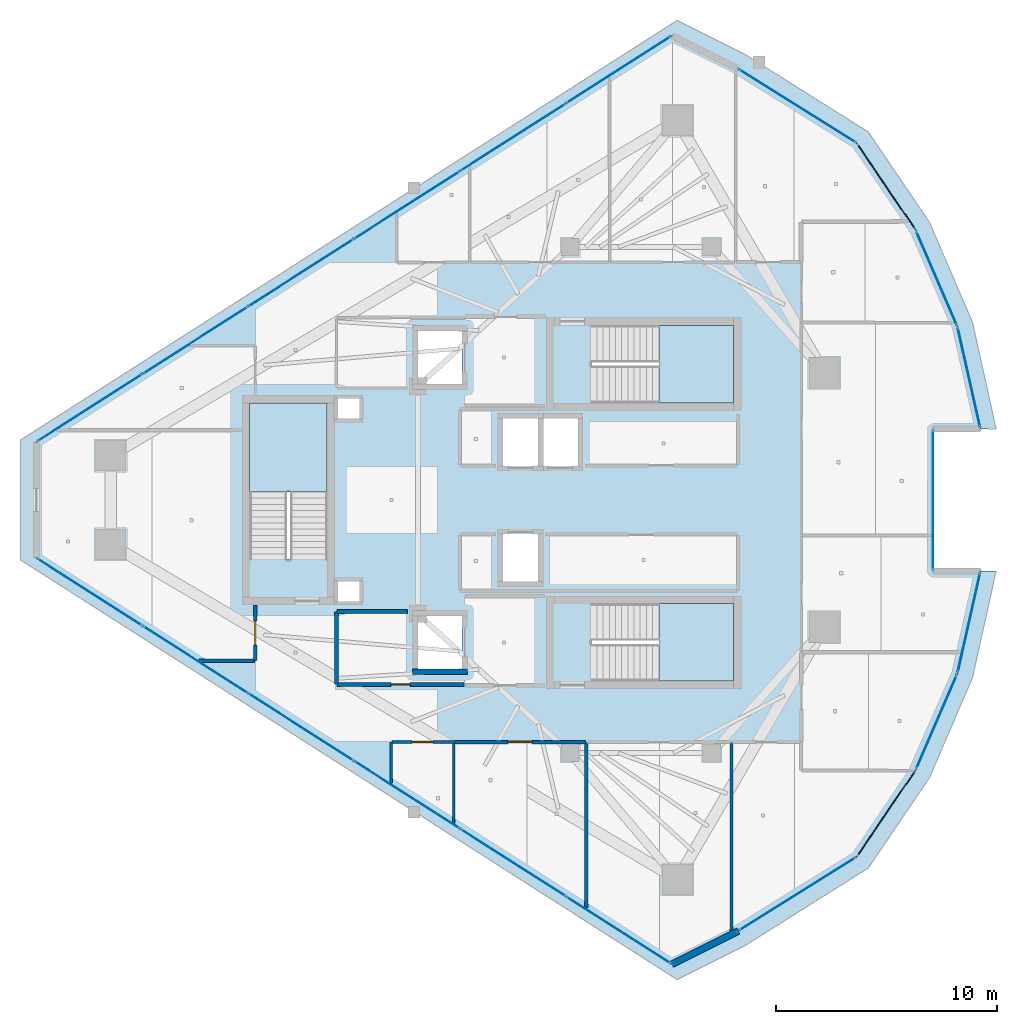
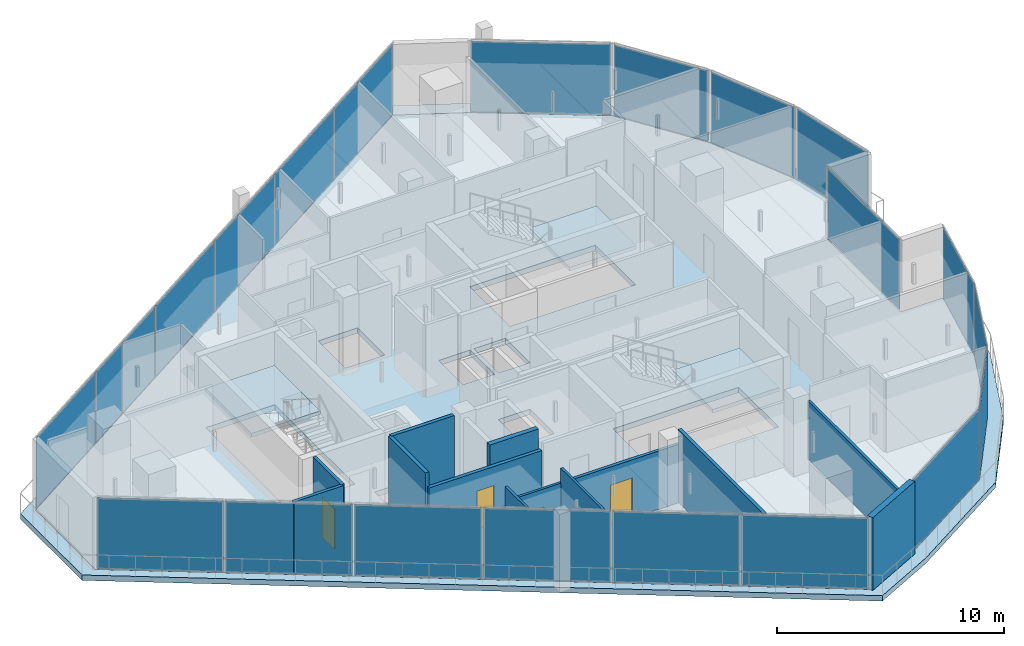
# One storey, part 15 of 24: 21 plates, 13 walls, 5 slabs, 4 doors, 4 openings, 14 elements without a shape of their own.
"""IFC4 building model written with IfcOpenShell, lengths in metres."""

from ifc_helpers import new_model, si_unit, direction, frame, frame_2d, origin, origin_2d, place, context, subcontext, project, spatial, polyline, rectangle, outline, extrude, material, layer, layer_set, type_object, element, fill, aggregate, save


model = new_model("IFC4")

# Units and contexts
model_context = context("Model", 3, precision=1e-05, world=origin(), true_north=direction((0.0, 1.0)))
body_context = subcontext(model_context, "Body", "Model", "MODEL_VIEW")
ifc_project = project(units=[si_unit("LENGTHUNIT", "METRE"), si_unit("AREAUNIT", "SQUARE_METRE"), si_unit("VOLUMEUNIT", "CUBIC_METRE"), si_unit("PLANEANGLEUNIT", "RADIAN"), si_unit("MASSUNIT", "GRAM", prefix="KILO")], contexts=[model_context])

# Site, building, storey
site_placement = place(None, origin())
site = spatial("IfcSite", under=ifc_project, at=site_placement, CompositionType="ELEMENT")
building_placement = place(site_placement, origin())
building = spatial("IfcBuilding", under=site, at=building_placement, Name="Qorvath Tower", CompositionType="ELEMENT")
storey_placement = place(building_placement, frame((0.0, 0.0, 318.60009765625)))
storey = spatial("IfcBuildingStorey", under=building, at=storey_placement, Name="L74", CompositionType="ELEMENT", Elevation=318.60009765625)

# Curtain wall, plates
ifc_material_1 = material(Name="Anodised aluminium and triple low-E glass", Category="aluminium")
ifc_layer_1 = layer(ifc_material_1, 0.179931640625)
ifc_layer_set_1 = layer_set([ifc_layer_1], Name="CW-SYS-4")
curtain_wall_type = type_object("IfcCurtainWallType", Name="CW-SYS-4", PredefinedType="NOTDEFINED", material=ifc_layer_set_1)
curtain_wall_1_placement = place(storey_placement, origin())
curtain_wall_1 = element("IfcCurtainWall", 1, at=curtain_wall_1_placement, inside=storey, type_object=curtain_wall_type, Name="Curtain Wall CW-4 CW-T-L74-2.1", PredefinedType="NOTDEFINED")
ifc_material_2 = material(Name="Acoustic laminated low-E glass", Category="glass")
ifc_layer_2 = layer(ifc_material_2, 0.0380859375)
ifc_layer_set_2 = layer_set([ifc_layer_2], Name="CWP-GLZ-38")
plate_type = type_object("IfcPlateType", Name="CWP-GLZ-38", PredefinedType="CURTAIN_PANEL", material=ifc_layer_set_2)
plate_1_placement = place(storey_placement, frame((-45.356201171875, -4.170166015625, 0.06494140625), z_axis=(0.0, 0.0, 1.0), x_axis=(0.842605247493, -0.538531704636, 0.0)))
plate_1 = element("IfcPlate", 2, at=plate_1_placement, type_object=plate_type, Name="CW-4 panel 1.1", PredefinedType="CURTAIN_PANEL", context=body_context, shape_type="SweptSolid", body=[
    extrude(rectangle(XDim=5.57958984375, YDim=0.0380859375, at=origin_2d()), origin(), (0.0, 0.0, 1.0), 3.77978515625),
])
plate_2_placement = place(storey_placement, frame((-40.575927734375, -7.225341796875, 0.06494140625), z_axis=(0.0, 0.0, 1.0), x_axis=(0.842605247493, -0.538531704636, 0.0)))
plate_2 = element("IfcPlate", 3, at=plate_2_placement, type_object=plate_type, Name="CW-4 panel 2.1", PredefinedType="CURTAIN_PANEL", context=body_context, shape_type="SweptSolid", body=[
    extrude(rectangle(XDim=5.616943359375, YDim=0.0380859375, at=origin_2d()), origin(), (0.0, 0.0, 1.0), 3.77978515625),
])
plate_3_placement = place(storey_placement, frame((-35.77978515625, -10.290771484375, 0.06494140625), z_axis=(0.0, 0.0, 1.0), x_axis=(0.842605247493, -0.538531704636, 0.0)))
plate_3 = element("IfcPlate", 4, at=plate_3_placement, type_object=plate_type, Name="CW-4 panel 3.1", PredefinedType="CURTAIN_PANEL", context=body_context, shape_type="SweptSolid", body=[
    extrude(rectangle(XDim=5.616943359375, YDim=0.0380859375, at=origin_2d()), origin(), (0.0, 0.0, 1.0), 3.77978515625),
])
plate_4_placement = place(storey_placement, frame((-30.983642578125, -13.35595703125, 0.06494140625), z_axis=(0.0, 0.0, 1.0), x_axis=(0.842605247493, -0.538531704636, 0.0)))
plate_4 = element("IfcPlate", 5, at=plate_4_placement, type_object=plate_type, Name="CW-4 panel 4.1", PredefinedType="CURTAIN_PANEL", context=body_context, shape_type="SweptSolid", body=[
    extrude(rectangle(XDim=5.616943359375, YDim=0.0380859375, at=origin_2d()), origin(), (0.0, 0.0, 1.0), 3.77978515625),
])
plate_5_placement = place(storey_placement, frame((-26.1875, -16.42138671875, 0.06494140625), z_axis=(0.0, 0.0, 1.0), x_axis=(0.842605247493, -0.538531704636, 0.0)))
plate_5 = element("IfcPlate", 6, at=plate_5_placement, type_object=plate_type, Name="CW-4 panel 5.1", PredefinedType="CURTAIN_PANEL", context=body_context, shape_type="SweptSolid", body=[
    extrude(rectangle(XDim=5.616943359375, YDim=0.0380859375, at=origin_2d()), origin(), (0.0, 0.0, 1.0), 3.77978515625),
])
plate_6_placement = place(storey_placement, frame((-21.4072265625, -19.4765625, 0.06494140625), z_axis=(0.0, 0.0, 1.0), x_axis=(0.842605247493, -0.538531704636, 0.0)))
plate_6 = element("IfcPlate", 7, at=plate_6_placement, type_object=plate_type, Name="CW-4 panel 6.1", PredefinedType="CURTAIN_PANEL", context=body_context, shape_type="SweptSolid", body=[
    extrude(rectangle(XDim=5.57958984375, YDim=0.0380859375, at=origin_2d()), origin(), (0.0, 0.0, 1.0), 3.77978515625),
])
aggregate(curtain_wall_1, [plate_1, plate_2, plate_3, plate_4, plate_5, plate_6])

# Curtain wall, plate
curtain_wall_2_placement = place(storey_placement, origin())
curtain_wall_2 = element("IfcCurtainWall", 8, at=curtain_wall_2_placement, inside=storey, type_object=curtain_wall_type, Name="Curtain Wall CW-4 CW-T-L74-4.1", PredefinedType="NOTDEFINED")
plate_7_placement = place(storey_placement, frame((-13.308837890625, -17.836181640625, 0.06494140625), z_axis=(0.0, 0.0, 1.0), x_axis=(0.847172913336, 0.531317282713, 0.0)))
plate_7 = element("IfcPlate", 9, at=plate_7_placement, type_object=plate_type, Name="CW-4 panel 1.1", PredefinedType="CURTAIN_PANEL", context=body_context, shape_type="SweptSolid", body=[
    extrude(rectangle(XDim=6.18115234375, YDim=0.0380859375, at=origin_2d()), origin(), (0.0, 0.0, 1.0), 3.77978515625),
])
aggregate(curtain_wall_2, [plate_7])

curtain_wall_3_placement = place(storey_placement, origin())
curtain_wall_3 = element("IfcCurtainWall", 10, at=curtain_wall_3_placement, inside=storey, type_object=curtain_wall_type, Name="Curtain Wall CW-4 CW-T-L74-5.1", PredefinedType="NOTDEFINED")
plate_8_placement = place(storey_placement, frame((-9.291259765625, -14.1884765625, 0.06494140625), z_axis=(0.0, 0.0, 1.0), x_axis=(0.56208156452, 0.827081806611, 0.0)))
plate_8 = element("IfcPlate", 11, at=plate_8_placement, type_object=plate_type, Name="CW-4 panel 1.1", PredefinedType="CURTAIN_PANEL", context=body_context, shape_type="SweptSolid", body=[
    extrude(rectangle(XDim=4.603515625, YDim=0.0380859375, at=origin_2d()), origin(), (0.0, 0.0, 1.0), 3.77978515625),
])
aggregate(curtain_wall_3, [plate_8])

curtain_wall_4_placement = place(storey_placement, origin())
curtain_wall_4 = element("IfcCurtainWall", 12, at=curtain_wall_4_placement, inside=storey, type_object=curtain_wall_type, Name="Curtain Wall CW-4 CW-T-L74-6.1", PredefinedType="NOTDEFINED")
plate_9_placement = place(storey_placement, frame((-7.009765625, -10.0419921875, 0.06494140625), z_axis=(0.0, 0.0, 1.0), x_axis=(0.397812868679, 0.917466577873, 0.0)))
plate_9 = element("IfcPlate", 13, at=plate_9_placement, type_object=plate_type, Name="CW-4 panel 1.1", PredefinedType="CURTAIN_PANEL", context=body_context, shape_type="SweptSolid", body=[
    extrude(rectangle(XDim=4.603759765625, YDim=0.0380859375, at=origin_2d()), origin(), (0.0, 0.0, 1.0), 3.77978515625),
])
aggregate(curtain_wall_4, [plate_9])

curtain_wall_5_placement = place(storey_placement, origin())
curtain_wall_5 = element("IfcCurtainWall", 14, at=curtain_wall_5_placement, inside=storey, type_object=curtain_wall_type, Name="Curtain Wall CW-4 CW-T-L74-7.1", PredefinedType="NOTDEFINED")
plate_10_placement = place(storey_placement, frame((-5.542236328125, -5.54248046875, 0.06494140625), z_axis=(0.0, 0.0, 1.0), x_axis=(0.219569262793, 0.975596914118, 0.0)))
plate_10 = element("IfcPlate", 15, at=plate_10_placement, type_object=plate_type, Name="CW-4 panel 1.1", PredefinedType="CURTAIN_PANEL", context=body_context, shape_type="SweptSolid", body=[
    extrude(rectangle(XDim=4.603515625, YDim=0.0380859375, at=origin_2d()), origin(), (0.0, 0.0, 1.0), 3.77978515625),
])
aggregate(curtain_wall_5, [plate_10])

curtain_wall_6_placement = place(storey_placement, origin())
curtain_wall_6 = element("IfcCurtainWall", 16, at=curtain_wall_6_placement, inside=storey, type_object=curtain_wall_type, Name="Curtain Wall CW-4 CW-T-L74-9.1", PredefinedType="NOTDEFINED")
plate_11_placement = place(storey_placement, frame((-7.169677734375, 0.0, 0.06494140625), z_axis=(0.0, 0.0, 1.0), x_axis=(0.0, 1.0, 0.0)))
plate_11 = element("IfcPlate", 17, at=plate_11_placement, type_object=plate_type, Name="CW-4 panel 1.1", PredefinedType="CURTAIN_PANEL", context=body_context, shape_type="SweptSolid", body=[
    extrude(rectangle(XDim=6.2978515625, YDim=0.0380859375, at=origin_2d()), origin(), (0.0, 0.0, 1.0), 3.77978515625),
])
aggregate(curtain_wall_6, [plate_11])

curtain_wall_7_placement = place(storey_placement, origin())
curtain_wall_7 = element("IfcCurtainWall", 18, at=curtain_wall_7_placement, inside=storey, type_object=curtain_wall_type, Name="Curtain Wall CW-4 CW-T-L74-11.1", PredefinedType="NOTDEFINED")
plate_12_placement = place(storey_placement, frame((-5.542236328125, 5.54248046875, 0.06494140625), z_axis=(0.0, 0.0, 1.0), x_axis=(-0.219569262793, 0.975596914118, 0.0)))
plate_12 = element("IfcPlate", 19, at=plate_12_placement, type_object=plate_type, Name="CW-4 panel 1.1", PredefinedType="CURTAIN_PANEL", context=body_context, shape_type="SweptSolid", body=[
    extrude(rectangle(XDim=4.603515625, YDim=0.0380859375, at=origin_2d()), origin(), (0.0, 0.0, 1.0), 3.77978515625),
])
aggregate(curtain_wall_7, [plate_12])

curtain_wall_8_placement = place(storey_placement, origin())
curtain_wall_8 = element("IfcCurtainWall", 20, at=curtain_wall_8_placement, inside=storey, type_object=curtain_wall_type, Name="Curtain Wall CW-4 CW-T-L74-12.1", PredefinedType="NOTDEFINED")
plate_13_placement = place(storey_placement, frame((-7.009765625, 10.0419921875, 0.06494140625), z_axis=(0.0, 0.0, 1.0), x_axis=(-0.397812868679, 0.917466577873, 0.0)))
plate_13 = element("IfcPlate", 21, at=plate_13_placement, type_object=plate_type, Name="CW-4 panel 1.1", PredefinedType="CURTAIN_PANEL", context=body_context, shape_type="SweptSolid", body=[
    extrude(rectangle(XDim=4.603759765625, YDim=0.0380859375, at=origin_2d()), origin(), (0.0, 0.0, 1.0), 3.77978515625),
])
aggregate(curtain_wall_8, [plate_13])

curtain_wall_9_placement = place(storey_placement, origin())
curtain_wall_9 = element("IfcCurtainWall", 22, at=curtain_wall_9_placement, inside=storey, type_object=curtain_wall_type, Name="Curtain Wall CW-4 CW-T-L74-13.1", PredefinedType="NOTDEFINED")
plate_14_placement = place(storey_placement, frame((-9.291259765625, 14.1884765625, 0.06494140625), z_axis=(0.0, 0.0, 1.0), x_axis=(-0.56208156452, 0.827081806611, 0.0)))
plate_14 = element("IfcPlate", 23, at=plate_14_placement, type_object=plate_type, Name="CW-4 panel 1.1", PredefinedType="CURTAIN_PANEL", context=body_context, shape_type="SweptSolid", body=[
    extrude(rectangle(XDim=4.603515625, YDim=0.0380859375, at=origin_2d()), origin(), (0.0, 0.0, 1.0), 3.77978515625),
])
aggregate(curtain_wall_9, [plate_14])

curtain_wall_10_placement = place(storey_placement, origin())
curtain_wall_10 = element("IfcCurtainWall", 24, at=curtain_wall_10_placement, inside=storey, type_object=curtain_wall_type, Name="Curtain Wall CW-4 CW-T-L74-14.1", PredefinedType="NOTDEFINED")
plate_15_placement = place(storey_placement, frame((-13.308837890625, 17.836181640625, 0.06494140625), z_axis=(0.0, 0.0, 1.0), x_axis=(-0.847172913336, 0.531317282713, 0.0)))
plate_15 = element("IfcPlate", 25, at=plate_15_placement, type_object=plate_type, Name="CW-4 panel 1.1", PredefinedType="CURTAIN_PANEL", context=body_context, shape_type="SweptSolid", body=[
    extrude(rectangle(XDim=6.18115234375, YDim=0.0380859375, at=origin_2d()), origin(), (0.0, 0.0, 1.0), 3.77978515625),
])
aggregate(curtain_wall_10, [plate_15])

# Curtain wall, plates
curtain_wall_11_placement = place(storey_placement, origin())
curtain_wall_11 = element("IfcCurtainWall", 26, at=curtain_wall_11_placement, inside=storey, type_object=curtain_wall_type, Name="Curtain Wall CW-4 CW-T-L74-16.1", PredefinedType="NOTDEFINED")
plate_16_placement = place(storey_placement, frame((-21.4072265625, 19.4765625, 0.06494140625), z_axis=(0.0, 0.0, 1.0), x_axis=(-0.842605247493, -0.538531704636, 0.0)))
plate_16 = element("IfcPlate", 27, at=plate_16_placement, type_object=plate_type, Name="CW-4 panel 1.1", PredefinedType="CURTAIN_PANEL", context=body_context, shape_type="SweptSolid", body=[
    extrude(rectangle(XDim=5.57958984375, YDim=0.0380859375, at=origin_2d()), origin(), (0.0, 0.0, 1.0), 3.77978515625),
])
plate_17_placement = place(storey_placement, frame((-26.1875, 16.42138671875, 0.06494140625), z_axis=(0.0, 0.0, 1.0), x_axis=(-0.842605247493, -0.538531704636, 0.0)))
plate_17 = element("IfcPlate", 28, at=plate_17_placement, type_object=plate_type, Name="CW-4 panel 2.1", PredefinedType="CURTAIN_PANEL", context=body_context, shape_type="SweptSolid", body=[
    extrude(rectangle(XDim=5.616943359375, YDim=0.0380859375, at=origin_2d()), origin(), (0.0, 0.0, 1.0), 3.77978515625),
])
plate_18_placement = place(storey_placement, frame((-30.983642578125, 13.35595703125, 0.06494140625), z_axis=(0.0, 0.0, 1.0), x_axis=(-0.842605247493, -0.538531704636, 0.0)))
plate_18 = element("IfcPlate", 29, at=plate_18_placement, type_object=plate_type, Name="CW-4 panel 3.1", PredefinedType="CURTAIN_PANEL", context=body_context, shape_type="SweptSolid", body=[
    extrude(rectangle(XDim=5.616943359375, YDim=0.0380859375, at=origin_2d()), origin(), (0.0, 0.0, 1.0), 3.77978515625),
])
plate_19_placement = place(storey_placement, frame((-35.77978515625, 10.290771484375, 0.06494140625), z_axis=(0.0, 0.0, 1.0), x_axis=(-0.842605247493, -0.538531704636, 0.0)))
plate_19 = element("IfcPlate", 30, at=plate_19_placement, type_object=plate_type, Name="CW-4 panel 4.1", PredefinedType="CURTAIN_PANEL", context=body_context, shape_type="SweptSolid", body=[
    extrude(rectangle(XDim=5.616943359375, YDim=0.0380859375, at=origin_2d()), origin(), (0.0, 0.0, 1.0), 3.77978515625),
])
plate_20_placement = place(storey_placement, frame((-40.575927734375, 7.225341796875, 0.06494140625), z_axis=(0.0, 0.0, 1.0), x_axis=(-0.842605247493, -0.538531704636, 0.0)))
plate_20 = element("IfcPlate", 31, at=plate_20_placement, type_object=plate_type, Name="CW-4 panel 5.1", PredefinedType="CURTAIN_PANEL", context=body_context, shape_type="SweptSolid", body=[
    extrude(rectangle(XDim=5.616943359375, YDim=0.0380859375, at=origin_2d()), origin(), (0.0, 0.0, 1.0), 3.77978515625),
])
plate_21_placement = place(storey_placement, frame((-45.356201171875, 4.170166015625, 0.06494140625), z_axis=(0.0, 0.0, 1.0), x_axis=(-0.842605247493, -0.538531704636, 0.0)))
plate_21 = element("IfcPlate", 32, at=plate_21_placement, type_object=plate_type, Name="CW-4 panel 6.1", PredefinedType="CURTAIN_PANEL", context=body_context, shape_type="SweptSolid", body=[
    extrude(rectangle(XDim=5.57958984375, YDim=0.0380859375, at=origin_2d()), origin(), (0.0, 0.0, 1.0), 3.77978515625),
])
aggregate(curtain_wall_11, [plate_16, plate_17, plate_18, plate_19, plate_20, plate_21])

# Slab
ifc_material_3 = material(Name="Concrete C50/60", Category="concrete")
ifc_layer_3 = layer(ifc_material_3, 0.2900390625)
ifc_layer_set_3 = layer_set([ifc_layer_3], Name="SL-EXEC-290")
slab_type_1 = type_object("IfcSlabType", Name="SL-EXEC-290", PredefinedType="FLOOR", material=ifc_layer_set_3)
slab_1_placement = place(storey_placement, frame((0.0, 0.0, -0.2900390625)))
element("IfcSlab", 33, at=slab_1_placement, inside=storey, type_object=slab_type_1, Name="Tower L74 Interior Floor Slab", PredefinedType="FLOOR", context=body_context, shape_type="SweptSolid", body=[
    extrude(outline(polyline([(-47.77001953125, 2.62744140625), (-47.77001953125, -2.62744140625), (-18.993408203125, -21.019287109375), (-15.99072265625, -19.51806640625), (-10.627197265625, -16.154296875), (-7.955322265625, -12.22265625), (-6.064208984375, -7.861328125), (-5.0205078125, -3.223876953125), (-7.169677734375, -3.223876953125), (-7.169677734375, 3.223876953125), (-5.0205078125, 3.223876953125), (-6.064208984375, 7.861328125), (-7.955322265625, 12.22265625), (-10.627197265625, 16.154296875), (-15.99072265625, 19.51806640625), (-18.993408203125, 21.019287109375), (-47.77001953125, 2.62744140625)]), holes=[polyline([(-16.2451171875, -8.199951171875), (-22.625, -8.199951171875), (-22.625, -4.68994140625), (-16.2451171875, -4.68994140625), (-16.2451171875, -8.199951171875)]), polyline([(-22.625, 4.39990234375), (-22.625, 7.909912109375), (-16.2451171875, 7.909912109375), (-16.2451171875, 4.39990234375), (-22.625, 4.39990234375)]), polyline([(-23.25, 1.550048828125), (-24.85009765625, 1.550048828125), (-24.85009765625, 3.699951171875), (-23.25, 3.699951171875), (-23.25, 1.550048828125)]), polyline([(-26.64990234375, -3.699951171875), (-26.64990234375, -1.550048828125), (-25.050048828125, -1.550048828125), (-25.050048828125, -3.699951171875), (-26.64990234375, -3.699951171875)]), polyline([(-25.050048828125, 1.550048828125), (-26.64990234375, 1.550048828125), (-26.64990234375, 3.699951171875), (-25.050048828125, 3.699951171875), (-25.050048828125, 1.550048828125)]), polyline([(-28.5, -7.64990234375), (-30.5, -7.64990234375), (-30.5, -5.25), (-28.5, -5.25), (-28.5, -7.64990234375)]), polyline([(-30.5, 5.25), (-30.5, 7.64990234375), (-28.5, 7.64990234375), (-28.5, 5.25), (-30.5, 5.25)]), polyline([(-33.10009765625, -4.6201171875), (-34.14990234375, -4.6201171875), (-34.14990234375, -3.64990234375), (-33.10009765625, -3.64990234375), (-33.10009765625, -4.6201171875)]), polyline([(-33.10009765625, 3.64990234375), (-34.14990234375, 3.64990234375), (-34.14990234375, 4.6201171875), (-33.10009765625, 4.6201171875), (-33.10009765625, 3.64990234375)]), polyline([(-34.60009765625, -2.675048828125), (-38.110107421875, -2.675048828125), (-38.110107421875, 4.35498046875), (-34.60009765625, 4.35498046875), (-34.60009765625, -2.675048828125)])]), origin(), (0.0, 0.0, 1.0), 0.2900390625),
])

# Stair, slab
ifc_material_4 = material(Name="Concrete C50/60", Category="concrete")
stair_type = type_object("IfcStairType", Name="ST-H420", PredefinedType="HALF_TURN_STAIR", material=ifc_material_4)
stair_1_placement = place(storey_placement, origin())
stair_1 = element("IfcStair", 34, at=stair_1_placement, inside=storey, type_object=stair_type, Name="L74 Tower Exit Stair 1", PredefinedType="HALF_TURN_STAIR")
ifc_material_5 = material(Name="Concrete C50/60", Category="concrete")
ifc_layer_4 = layer(ifc_material_5, 0.199951171875)
ifc_layer_set_4 = layer_set([ifc_layer_4], Name="SL-LND-200")
slab_type_2 = type_object("IfcSlabType", Name="SL-LND-200", PredefinedType="LANDING", material=ifc_layer_set_4)
slab_2_placement = place(storey_placement, frame((0.0, 0.0, 1.89990234375)))
slab_2 = element("IfcSlab", 35, at=slab_2_placement, type_object=slab_type_2, Name="TS1 landing 1", PredefinedType="LANDING", context=body_context, shape_type="SweptSolid", body=[
    extrude(outline(polyline([(-19.590087890625, 4.39990234375), (-16.199951171875, 4.39990234375), (-16.199951171875, 7.909912109375), (-19.590087890625, 7.909912109375), (-19.590087890625, 4.39990234375)])), origin(), (0.0, 0.0, 1.0), 0.199951171875),
])
aggregate(stair_1, [slab_2])

stair_2_placement = place(storey_placement, origin())
stair_2 = element("IfcStair", 36, at=stair_2_placement, inside=storey, type_object=stair_type, Name="L74 Tower Exit Stair 2", PredefinedType="HALF_TURN_STAIR")
slab_3_placement = place(storey_placement, frame((0.0, 0.0, 1.89990234375)))
slab_3 = element("IfcSlab", 37, at=slab_3_placement, type_object=slab_type_2, Name="TS2 landing 1", PredefinedType="LANDING", context=body_context, shape_type="SweptSolid", body=[
    extrude(outline(polyline([(-19.590087890625, -8.199951171875), (-16.199951171875, -8.199951171875), (-16.199951171875, -4.68994140625), (-19.590087890625, -4.68994140625), (-19.590087890625, -8.199951171875)])), origin(), (0.0, 0.0, 1.0), 0.199951171875),
])
aggregate(stair_2, [slab_3])

stair_3_placement = place(storey_placement, origin())
stair_3 = element("IfcStair", 38, at=stair_3_placement, inside=storey, type_object=stair_type, Name="L74 Tower Exit Stair 3", PredefinedType="HALF_TURN_STAIR")
slab_4_placement = place(storey_placement, frame((0.0, 0.0, 1.89990234375)))
slab_4 = element("IfcSlab", 39, at=slab_4_placement, type_object=slab_type_2, Name="TS3 landing 1", PredefinedType="LANDING", context=body_context, shape_type="SweptSolid", body=[
    extrude(outline(polyline([(-34.60009765625, 0.360107421875), (-34.60009765625, 4.39990234375), (-38.110107421875, 4.39990234375), (-38.110107421875, 0.360107421875), (-34.60009765625, 0.360107421875)])), origin(), (0.0, 0.0, 1.0), 0.199951171875),
])
aggregate(stair_3, [slab_4])

# Slab
ifc_material_6 = material(Name="Precast concrete C45/55", Category="concrete")
ifc_layer_5 = layer(ifc_material_6, 0.2900390625)
ifc_layer_set_5 = layer_set([ifc_layer_5], Name="SL-LOG-290")
slab_type_3 = type_object("IfcSlabType", Name="SL-LOG-290", PredefinedType="FLOOR", material=ifc_layer_set_5)
slab_5_placement = place(storey_placement, frame((0.0, 0.0, -0.2900390625)))
element("IfcSlab", 40, at=slab_5_placement, inside=storey, type_object=slab_type_3, Name="Tower L74 Perimeter Loggia and Terrace Slab", PredefinedType="FLOOR", context=body_context, shape_type="SweptSolid", body=[
    extrude(outline(polyline([(-5.0205078125, -3.223876953125), (-6.064208984375, -7.861328125), (-7.955322265625, -12.22265625), (-10.627197265625, -16.154296875), (-15.99072265625, -19.51806640625), (-18.993408203125, -21.019287109375), (-47.77001953125, -2.62744140625), (-47.77001953125, 2.62744140625), (-18.993408203125, 21.019287109375), (-15.99072265625, 19.51806640625), (-10.627197265625, 16.154296875), (-7.955322265625, 12.22265625), (-6.064208984375, 7.861328125), (-5.0205078125, 3.223876953125), (-4.31640625, 3.223876953125), (-5.38330078125, 8.043701171875), (-7.335693359375, 12.577880859375), (-10.104248046875, 16.665283203125), (-15.661376953125, 20.160400390625), (-18.762939453125, 21.711181640625), (-48.486572265625, 2.7138671875), (-48.486572265625, -2.7138671875), (-18.762939453125, -21.711181640625), (-15.661376953125, -20.160400390625), (-10.104248046875, -16.665283203125), (-7.335693359375, -12.577880859375), (-5.38330078125, -8.043701171875), (-4.31640625, -3.223876953125), (-5.0205078125, -3.223876953125)])), origin(), (0.0, 0.0, 1.0), 0.2900390625),
])

# Walls
ifc_material_7 = material(Name="Gypsum shaftliner on steel studs", Category="steel")
ifc_layer_6 = layer(ifc_material_7, 0.179931640625)
ifc_layer_set_6 = layer_set([ifc_layer_6], Name="FW-LOBBY")
wall_type_1 = type_object("IfcWallType", Name="FW-LOBBY", PredefinedType="PARTITIONING", material=ifc_layer_set_6)
wall_1_placement = place(storey_placement, frame((-30.965087890625, -5.050048828125, 0.0), z_axis=(0.0, 0.0, 1.0), x_axis=(-1.0, 0.0, 0.0)))
element("IfcWall", 41, at=wall_1_placement, inside=storey, type_object=wall_type_1, Name="Interior Partition IW-T1-L74-018", PredefinedType="PARTITIONING", context=body_context, shape_type="SweptSolid", body=[
    extrude(rectangle(XDim=3.189697265625, YDim=0.179931640625, at=frame_2d((1.5947265625, 0.0))), origin(), (0.0, 0.0, 1.0), 3.909912109375),
])
wall_2_placement = place(storey_placement, frame((-34.179931640625, -5.074951171875, 0.0), z_axis=(0.0, 0.0, 1.0), x_axis=(0.0, -1.0, 0.0)))
element("IfcWall", 42, at=wall_2_placement, inside=storey, type_object=wall_type_1, Name="Interior Partition IW-T1-L74-019", PredefinedType="PARTITIONING", context=body_context, shape_type="SweptSolid", body=[
    extrude(rectangle(XDim=3.250244140625, YDim=0.179931640625, at=frame_2d((1.625, 0.0))), origin(), (0.0, 0.0, 1.0), 3.909912109375),
])

# Wall, opening, door
wall_3_placement = place(storey_placement, frame((-34.15478515625, -8.35009765625, 0.0), z_axis=(0.0, 0.0, 1.0), x_axis=(1.0, 0.0, 0.0)))
wall_3 = element("IfcWall", 43, at=wall_3_placement, inside=storey, type_object=wall_type_1, Name="Interior Partition IW-T1-L74-020", PredefinedType="PARTITIONING", context=body_context, shape_type="SweptSolid", body=[
    extrude(rectangle(XDim=5.741943359375, YDim=0.179931640625, at=frame_2d((2.87109375, 0.0))), origin(), (0.0, 0.0, 1.0), 3.1298828125),
])
opening_1_placement = place(wall_3_placement, frame((2.430908203125, 0.0, 0.0)))
opening_1 = element("IfcOpeningElement", 44, at=opening_1_placement, cuts=wall_3, Name="Opening D-T1-L74-06", PredefinedType="OPENING", context=body_context, shape_type="SweptSolid", body=[
    extrude(rectangle(XDim=0.8798828125, YDim=2.10009765625, at=frame_2d((0.43994140625, 1.050048828125))), frame((0.0, 0.10009765625, 0.0), z_axis=(0.0, -1.0, 0.0), x_axis=(1.0, 0.0, 0.0)), (0.0, 0.0, 1.0), 0.199951171875),
])
ifc_material_8 = material(Name="Painted galvanised hollow metal", Category="steel")
door_type_1 = type_object("IfcDoorType", Name="FD-60N", OperationType="NOTDEFINED", PredefinedType="DOOR", material=ifc_material_8)
door_1_placement = place(opening_1_placement, origin())
door_1 = element("IfcDoor", 45, at=door_1_placement, inside=storey, type_object=door_type_1, Name="Core electrical and cleaner room L74 Door D-T1-L74-06", OperationType="SINGLE_SWING_RIGHT", OverallHeight=2.10009765625, OverallWidth=0.8798828125, PredefinedType="DOOR", context=body_context, shape_type="SweptSolid", body=[
    extrude(rectangle(XDim=0.8798828125, YDim=2.10009765625, at=frame_2d((0.43994140625, 1.050048828125))), frame((0.0, 0.02490234375, 0.0), z_axis=(0.0, -1.0, 0.0), x_axis=(1.0, 0.0, 0.0)), (0.0, 0.0, 1.0), 0.050048828125),
])
fill(opening_1, door_1)

ifc_material_9 = material(Name="Double acoustic gypsum board on steel studs", Category="steel")
ifc_layer_7 = layer(ifc_material_9, 0.159912109375)
ifc_layer_set_7 = layer_set([ifc_layer_7], Name="IW-ACOUSTIC-160")
wall_type_2 = type_object("IfcWallType", Name="IW-ACOUSTIC-160", PredefinedType="PARTITIONING", material=ifc_layer_set_7)
wall_4_placement = place(storey_placement, frame((-22.902099609375, -10.9580078125, 0.0), z_axis=(0.0, 0.0, 1.0), x_axis=(-1.0, 0.0, 0.0)))
wall_4 = element("IfcWall", 46, at=wall_4_placement, inside=storey, type_object=wall_type_2, Name="Interior Partition IW-T1-L74-034", PredefinedType="PARTITIONING", context=body_context, shape_type="SweptSolid", body=[
    extrude(rectangle(XDim=5.931884765625, YDim=0.159912109375, at=frame_2d((2.9658203125, 0.0))), origin(), (0.0, 0.0, 1.0), 3.1298828125),
])
opening_2_placement = place(wall_4_placement, frame((2.416015625, 0.0, 0.0)))
opening_2 = element("IfcOpeningElement", 47, at=opening_2_placement, cuts=wall_4, Name="Opening D-T1-L74-12", PredefinedType="OPENING", context=body_context, shape_type="SweptSolid", body=[
    extrude(rectangle(XDim=1.10009765625, YDim=2.14990234375, at=frame_2d((0.550048828125, 1.074951171875))), frame((0.0, 0.08984375, 0.0), z_axis=(0.0, -1.0, 0.0), x_axis=(1.0, 0.0, 0.0)), (0.0, 0.0, 1.0), 0.179931640625),
])
ifc_material_10 = material(Name="Anodised aluminium acoustic framed glass", Category="aluminium")
door_type_2 = type_object("IfcDoorType", Name="D-03", OperationType="NOTDEFINED", PredefinedType="DOOR", material=ifc_material_10)
door_2_placement = place(opening_2_placement, origin())
door_2 = element("IfcDoor", 48, at=door_2_placement, inside=storey, type_object=door_type_2, Name="L74-06 Team Project Office Door D-T1-L74-12", OperationType="SINGLE_SWING_RIGHT", OverallHeight=2.14990234375, OverallWidth=1.10009765625, PredefinedType="DOOR", context=body_context, shape_type="SweptSolid", body=[
    extrude(rectangle(XDim=1.10009765625, YDim=2.14990234375, at=frame_2d((0.550048828125, 1.074951171875))), frame((0.0, 0.02490234375, 0.0), z_axis=(0.0, -1.0, 0.0), x_axis=(1.0, 0.0, 0.0)), (0.0, 0.0, 1.0), 0.050048828125),
])
fill(opening_2, door_2)

# Wall
wall_5_placement = place(storey_placement, frame((-22.87548828125, -18.458251953125, 0.0), z_axis=(0.0, 0.0, 1.0), x_axis=(-0.000228616213, 0.999999973867, 0.0)))
element("IfcWall", 49, at=wall_5_placement, inside=storey, type_object=wall_type_2, Name="Interior Partition IW-T1-L74-035", PredefinedType="PARTITIONING", context=body_context, shape_type="SweptSolid", body=[
    extrude(rectangle(XDim=7.475341796875, YDim=0.159912109375, at=frame_2d((3.73779296875, 0.0))), origin(), (0.0, 0.0, 1.0), 3.909912109375),
])

# Wall, opening, door
wall_6_placement = place(storey_placement, frame((-37.85791015625, -7.256103515625, 0.0), z_axis=(0.0, 0.0, 1.0), x_axis=(0.0, 1.0, 0.0)))
wall_6 = element("IfcWall", 50, at=wall_6_placement, inside=storey, type_object=wall_type_2, Name="Interior Partition IW-T1-L74-048", PredefinedType="PARTITIONING", context=body_context, shape_type="SweptSolid", body=[
    extrude(rectangle(XDim=2.472900390625, YDim=0.159912109375, at=frame_2d((1.236328125, 0.0))), origin(), (0.0, 0.0, 1.0), 3.909912109375),
])
opening_3_placement = place(wall_6_placement, frame((0.6865234375, 0.0, 0.0)))
opening_3 = element("IfcOpeningElement", 51, at=opening_3_placement, cuts=wall_6, Name="Opening D-T1-L74-19", PredefinedType="OPENING", context=body_context, shape_type="SweptSolid", body=[
    extrude(rectangle(XDim=1.10009765625, YDim=2.14990234375, at=frame_2d((0.550048828125, 1.074951171875))), frame((0.0, 0.08984375, 0.0), z_axis=(0.0, -1.0, 0.0), x_axis=(1.0, 0.0, 0.0)), (0.0, 0.0, 1.0), 0.179931640625),
])
door_3_placement = place(opening_3_placement, origin())
door_3 = element("IfcDoor", 52, at=door_3_placement, inside=storey, type_object=door_type_2, Name="L74-13 Digital Visualization Suite Door D-T1-L74-19", OperationType="SINGLE_SWING_LEFT", OverallHeight=2.14990234375, OverallWidth=1.10009765625, PredefinedType="DOOR", context=body_context, shape_type="SweptSolid", body=[
    extrude(rectangle(XDim=1.10009765625, YDim=2.14990234375, at=frame_2d((0.550048828125, 1.074951171875))), frame((0.0, 0.02490234375, 0.0), z_axis=(0.0, -1.0, 0.0), x_axis=(1.0, 0.0, 0.0)), (0.0, 0.0, 1.0), 0.050048828125),
])
fill(opening_3, door_3)

# Wall
wall_7_placement = place(storey_placement, frame((-40.408935546875, -7.281005859375, 0.0), z_axis=(0.0, 0.0, 1.0), x_axis=(1.0, 0.0, 0.0)))
element("IfcWall", 53, at=wall_7_placement, inside=storey, type_object=wall_type_2, Name="Interior Partition IW-T1-L74-050", PredefinedType="PARTITIONING", context=body_context, shape_type="SweptSolid", body=[
    extrude(rectangle(XDim=2.526123046875, YDim=0.159912109375, at=frame_2d((1.26318359375, 0.0))), origin(), (0.0, 0.0, 1.0), 3.909912109375),
])

# Wall, opening, door
ifc_material_11 = material(Name="Gypsum board on metal studs with mineral wool", Category="gypsum")
ifc_layer_8 = layer(ifc_material_11, 0.125)
ifc_layer_set_8 = layer_set([ifc_layer_8], Name="IW-PART-125")
wall_type_3 = type_object("IfcWallType", Name="IW-PART-125", PredefinedType="PARTITIONING", material=ifc_layer_set_8)
wall_8_placement = place(storey_placement, frame((-28.891845703125, -10.9580078125, 0.0), z_axis=(0.0, 0.0, 1.0), x_axis=(-1.0, 0.0, 0.0)))
wall_8 = element("IfcWall", 54, at=wall_8_placement, inside=storey, type_object=wall_type_3, Name="Interior Partition IW-T1-L74-031", PredefinedType="PARTITIONING", context=body_context, shape_type="SweptSolid", body=[
    extrude(rectangle(XDim=2.779541015625, YDim=0.125, at=frame_2d((1.3896484375, 0.0))), origin(), (0.0, 0.0, 1.0), 3.1298828125),
])
opening_4_placement = place(wall_8_placement, frame((0.914794921875, 0.0, 0.0)))
opening_4 = element("IfcOpeningElement", 55, at=opening_4_placement, cuts=wall_8, Name="Opening D-T1-L74-11", PredefinedType="OPENING", context=body_context, shape_type="SweptSolid", body=[
    extrude(rectangle(XDim=0.949951171875, YDim=2.14990234375, at=frame_2d((0.47509765625, 1.074951171875))), frame((0.0, 0.072509765625, 0.0), z_axis=(0.0, -1.0, 0.0), x_axis=(1.0, 0.0, 0.0)), (0.0, 0.0, 1.0), 0.14501953125),
])
ifc_material_12 = material(Name="Solid-core American white oak veneer", Category="wood")
door_type_3 = type_object("IfcDoorType", Name="D-01", OperationType="NOTDEFINED", PredefinedType="DOOR", material=ifc_material_12)
door_4_placement = place(opening_4_placement, origin())
door_4 = element("IfcDoor", 56, at=door_4_placement, inside=storey, type_object=door_type_3, Name="L74-05 Quantitative Research Studio Door D-T1-L74-11", OperationType="SINGLE_SWING_LEFT", OverallHeight=2.14990234375, OverallWidth=0.949951171875, PredefinedType="DOOR", context=body_context, shape_type="SweptSolid", body=[
    extrude(rectangle(XDim=0.949951171875, YDim=2.14990234375, at=frame_2d((0.47509765625, 1.074951171875))), frame((0.0, 0.02490234375, 0.0), z_axis=(0.0, -1.0, 0.0), x_axis=(1.0, 0.0, 0.0)), (0.0, 0.0, 1.0), 0.050048828125),
])
fill(opening_4, door_4)

# Walls
wall_9_placement = place(storey_placement, frame((-31.6962890625, -10.98291015625, 0.0), z_axis=(0.0, 0.0, 1.0), x_axis=(0.0, -1.0, 0.0)))
element("IfcWall", 57, at=wall_9_placement, inside=storey, type_object=wall_type_3, Name="Interior Partition IW-T1-L74-032", PredefinedType="PARTITIONING", context=body_context, shape_type="SweptSolid", body=[
    extrude(rectangle(XDim=1.837646484375, YDim=0.125, at=frame_2d((0.9189453125, 0.0))), origin(), (0.0, 0.0, 1.0), 3.909912109375),
])
wall_10_placement = place(storey_placement, frame((-28.866943359375, -14.62890625, 0.0), z_axis=(0.0, 0.0, 1.0), x_axis=(0.0, 1.0, 0.0)))
element("IfcWall", 58, at=wall_10_placement, inside=storey, type_object=wall_type_3, Name="Interior Partition IW-T1-L74-033", PredefinedType="PARTITIONING", context=body_context, shape_type="SweptSolid", body=[
    extrude(rectangle(XDim=3.64599609375, YDim=0.125, at=frame_2d((1.822998046875, 0.0))), origin(), (0.0, 0.0, 1.0), 3.909912109375),
])
wall_11_placement = place(storey_placement, frame((-16.29736328125, -19.59130859375, 0.0), z_axis=(0.0, 0.0, 1.0), x_axis=(8.5082246e-05, 0.999999996381, 0.0)))
element("IfcWall", 59, at=wall_11_placement, inside=storey, type_object=wall_type_3, Name="Interior Partition IW-T1-L74-037", PredefinedType="PARTITIONING", context=body_context, shape_type="SweptSolid", body=[
    extrude(rectangle(XDim=8.6083984375, YDim=0.125, at=frame_2d((4.30419921875, 0.0))), origin(), (0.0, 0.0, 1.0), 3.1298828125),
])
ifc_material_13 = material(Name="Concrete C60/75", Category="concrete")
ifc_layer_9 = layer(ifc_material_13, 0.260009765625)
ifc_layer_set_9 = layer_set([ifc_layer_9], Name="SW-SHAFT")
wall_type_4 = type_object("IfcWallType", Name="SW-SHAFT", PredefinedType="SHEAR", material=ifc_layer_set_9)
wall_12_placement = place(storey_placement, frame((-28.260009765625, -7.77001953125, 0.0), z_axis=(0.0, 0.0, 1.0), x_axis=(-1.0, 0.0, 0.0)))
element("IfcWall", 60, at=wall_12_placement, inside=storey, type_object=wall_type_4, Name="Hoistway Wall FSAE-2 L74 S", PredefinedType="SHEAR", context=body_context, shape_type="SweptSolid", body=[
    extrude(rectangle(XDim=2.47998046875, YDim=0.239990234375, at=frame_2d((1.239990234375, 0.0))), origin(), (0.0, 0.0, 1.0), 3.909912109375),
])
ifc_material_14 = material(Name="Precast concrete C45/55", Category="concrete")
ifc_layer_10 = layer(ifc_material_14, 0.300048828125)
ifc_layer_set_10 = layer_set([ifc_layer_10], Name="WL-EW-LOG-300")
wall_type_5 = type_object("IfcWallType", Name="WL-EW-LOG-300", PredefinedType="SOLIDWALL", material=ifc_layer_set_10)
wall_13_placement = place(storey_placement, frame((-15.99072265625, -19.51806640625, 0.0), z_axis=(0.0, 0.0, 1.0), x_axis=(-0.894441735477, -0.447184505362, 0.0)))
element("IfcWall", 61, at=wall_13_placement, inside=storey, type_object=wall_type_5, Name="Tower Precast Loggia Wall L74-3.1", PredefinedType="SOLIDWALL", context=body_context, shape_type="SweptSolid", body=[
    extrude(rectangle(XDim=3.35693359375, YDim=0.300048828125, at=frame_2d((1.678466796875, 0.0))), origin(), (0.0, 0.0, 1.0), 3.909912109375),
])

save(model, "model.ifc")
